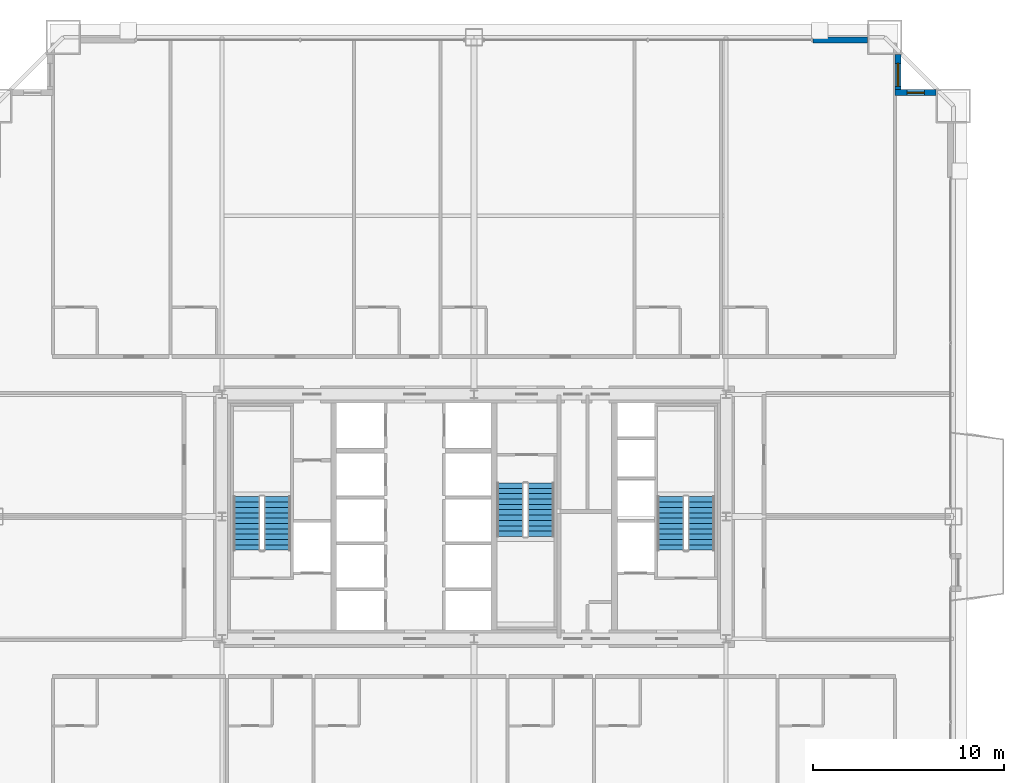
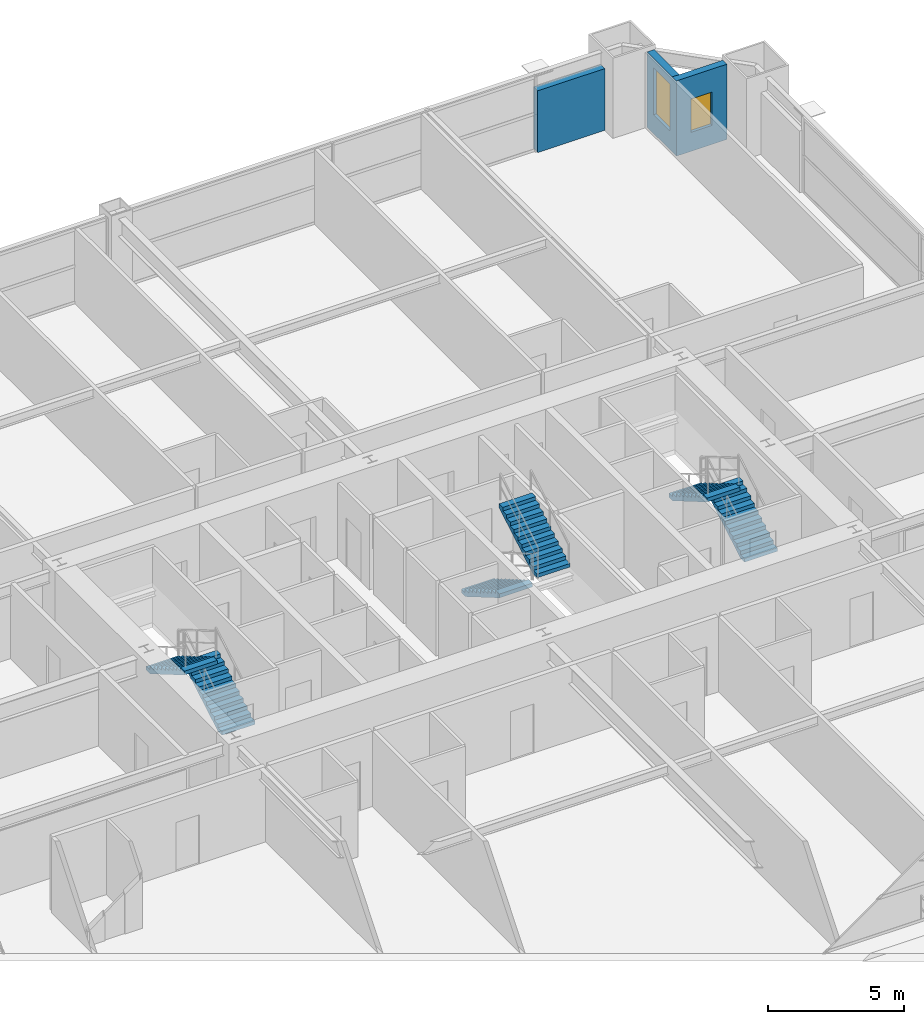
# One storey, part 42 of 43: 6 stair flights, 3 walls, 2 windows, 2 openings, 3 elements without a shape of their own.
"""IFC4 building model written with IfcOpenShell, lengths in metres."""

from ifc_helpers import new_model, si_unit, direction, frame, frame_2d, origin, place, context, subcontext, project, spatial, polyline, rectangle, outline, extrude, source, transform, mapped, material, layer, layer_set, type_object, element, fill, aggregate, save


model = new_model("IFC4")

# Units and contexts
model_context = context("Model", 3, precision=1e-05, world=origin(), true_north=direction((0.0, 1.0)))
body_context = subcontext(model_context, "Body", "Model", "MODEL_VIEW")
ifc_project = project(units=[si_unit("LENGTHUNIT", "METRE"), si_unit("AREAUNIT", "SQUARE_METRE"), si_unit("VOLUMEUNIT", "CUBIC_METRE"), si_unit("PLANEANGLEUNIT", "RADIAN"), si_unit("MASSUNIT", "GRAM", prefix="KILO"), si_unit("THERMODYNAMICTEMPERATUREUNIT", "KELVIN"), si_unit("POWERUNIT", "WATT")], contexts=[model_context])

# Site, building, storey
site_placement = place(None, origin())
site = spatial("IfcSite", under=ifc_project, at=site_placement, CompositionType="ELEMENT")
building_placement = place(site_placement, origin())
building = spatial("IfcBuilding", under=site, at=building_placement, Name="Yuzanri Waterfront Tower", CompositionType="ELEMENT")
storey_placement = place(building_placement, frame((0.0, 0.0, 71.199951171875)))
storey = spatial("IfcBuildingStorey", under=building, at=storey_placement, Name="L18", CompositionType="ELEMENT", Elevation=71.199951171875)

# Wall, opening, window
ifc_material_1 = material(Name="Honed Chongqing Dark Basalt Stone", Category="masonry")
ifc_layer = layer(ifc_material_1, 0.300048828125)
ifc_layer_set = layer_set([ifc_layer], Name="Honed Chongqing Dark Basalt Stone")
wall_type = type_object("IfcWallType", Name="Bronze Rainscreen Insulated Spandrel Portal Wall 300", PredefinedType="SOLIDWALL", material=ifc_layer_set)
wall_1_placement = place(storey_placement, frame((61.199951171875, 48.0, 0.0), z_axis=(0.0, 0.0, 1.0), x_axis=(-1.0, 0.0, 0.0)))
wall_1 = element("IfcWall", 1, at=wall_1_placement, inside=storey, type_object=wall_type, Name="L18 Notched Corner Masonry Wall NE-X", PredefinedType="SOLIDWALL", context=body_context, shape_type="SweptSolid", body=[
    extrude(rectangle(XDim=2.14990234375, YDim=0.300048828125, at=frame_2d((1.074951171875, 0.0))), origin(), (0.0, 0.0, 1.0), 3.380126953125),
])
opening_1_placement = place(wall_1_placement, frame((0.625, 0.0, 0.85009765625)))
opening_1 = element("IfcOpeningElement", 2, at=opening_1_placement, cuts=wall_1, Name="Opening WN-05", PredefinedType="OPENING", context=body_context, shape_type="SweptSolid", body=[
    extrude(rectangle(XDim=0.89990234375, YDim=1.5, at=frame_2d((0.449951171875, 0.75))), frame((0.0, 0.1650390625, 0.0), z_axis=(0.0, -1.0, 0.0), x_axis=(1.0, 0.0, 0.0)), (0.0, 0.0, 1.0), 0.329833984375),
])
ifc_material_2 = material(Name="Double-Silver Low-E Insulated Glass", Category="glass")
window_type_1 = type_object("IfcWindowType", Name="Anodized Bronze Service and Stairwell Smoke-Vent Window 900x1500", PartitioningType="SINGLE_PANEL", PredefinedType="WINDOW", material=ifc_material_2)
shared_shape_1 = source(origin(), body_context, "Body", "SweptSolid", [
    extrude(rectangle(XDim=0.89990234375, YDim=1.5, at=frame_2d((0.449951171875, 0.75))), frame((0.0, 0.030029296875, 0.0), z_axis=(0.0, -1.0, 0.0), x_axis=(1.0, 0.0, 0.0)), (0.0, 0.0, 1.0), 0.06005859375),
])
window_1_placement = place(opening_1_placement, origin())
window_1 = element("IfcWindow", 3, at=window_1_placement, inside=storey, type_object=window_type_1, Name="L18 Notched Corner Window NE-X", OverallHeight=1.5, OverallWidth=0.89990234375, PartitioningType="SINGLE_PANEL", PredefinedType="WINDOW", context=body_context, shape_type="MappedRepresentation", body=[
    mapped(shared_shape_1, transform((0.0, 0.0, 0.0), scale=1.0)),
])
fill(opening_1, window_1)

wall_2_placement = place(storey_placement, frame((59.199951171875, 47.85009765625, 0.0), z_axis=(0.0, 0.0, 1.0), x_axis=(0.0, 1.0, 0.0)))
wall_2 = element("IfcWall", 4, at=wall_2_placement, inside=storey, type_object=wall_type, Name="L18 Notched Corner Masonry Wall NE-Y", PredefinedType="SOLIDWALL", context=body_context, shape_type="SweptSolid", body=[
    extrude(rectangle(XDim=2.14990234375, YDim=0.300048828125, at=frame_2d((1.074951171875, 0.0))), origin(), (0.0, 0.0, 1.0), 3.380126953125),
])
opening_2_placement = place(wall_2_placement, frame((0.47509765625, 0.0, 0.85009765625)))
opening_2 = element("IfcOpeningElement", 5, at=opening_2_placement, cuts=wall_2, Name="Opening WN-02", PredefinedType="OPENING", context=body_context, shape_type="SweptSolid", body=[
    extrude(rectangle(XDim=1.199951171875, YDim=2.10009765625, at=frame_2d((0.60009765625, 1.050048828125))), frame((0.0, 0.1650390625, 0.0), z_axis=(0.0, -1.0, 0.0), x_axis=(1.0, 0.0, 0.0)), (0.0, 0.0, 1.0), 0.329833984375),
])
ifc_material_3 = material(Name="Double-Silver Low-E Insulated Glass", Category="glass")
window_type_2 = type_object("IfcWindowType", Name="Anodized Bronze Notched Corner Deep-Set Slot Window 1200x2100", PartitioningType="SINGLE_PANEL", PredefinedType="WINDOW", material=ifc_material_3)
shared_shape_2 = source(origin(), body_context, "Body", "SweptSolid", [
    extrude(rectangle(XDim=1.199951171875, YDim=2.10009765625, at=frame_2d((0.60009765625, 1.050048828125))), frame((0.0, 0.030029296875, 0.0), z_axis=(0.0, -1.0, 0.0), x_axis=(1.0, 0.0, 0.0)), (0.0, 0.0, 1.0), 0.06005859375),
])
window_2_placement = place(opening_2_placement, origin())
window_2 = element("IfcWindow", 6, at=window_2_placement, inside=storey, type_object=window_type_2, Name="L18 Notched Corner Window NE-Y", OverallHeight=2.10009765625, OverallWidth=1.199951171875, PartitioningType="SINGLE_PANEL", PredefinedType="WINDOW", context=body_context, shape_type="MappedRepresentation", body=[
    mapped(shared_shape_2, transform((0.0, 0.0, 0.0), scale=1.0)),
])
fill(opening_2, window_2)

# Wall
shared_shape_3 = source(origin(), body_context, "Body", "SweptSolid", [
    extrude(rectangle(XDim=2.85009765625, YDim=0.300048828125, at=frame_2d((1.425048828125, 0.0))), origin(), (0.0, 0.0, 1.0), 2.775146484375),
])
wall_3_placement = place(storey_placement, frame((54.75, 50.75, 0.0), z_axis=(0.0, 0.0, 1.0), x_axis=(1.0, 0.0, 0.0)))
element("IfcWall", 7, at=wall_3_placement, inside=storey, type_object=wall_type, Name="L18 N Right Braced Masonry Shoulder", PredefinedType="SOLIDWALL", context=body_context, shape_type="MappedRepresentation", body=[
    mapped(shared_shape_3, transform((0.0, 0.0, 0.0), scale=1.0)),
])

# Stair, stair flights
ifc_material_4 = material(Name="Concrete C40", Category="concrete")
stair_type = type_object("IfcStairType", Name="Concrete C40 Core Dogleg Exit Stair", PredefinedType="HALF_TURN_STAIR", material=ifc_material_4)
stair_1_placement = place(storey_placement, origin())
stair_1 = element("IfcStair", 8, at=stair_1_placement, inside=storey, type_object=stair_type, Name="L18 Smoke-Proof Core Stair ST-01", PredefinedType="HALF_TURN_STAIR")
ifc_material_5 = material(Name="Concrete C40", Category="concrete")
stair_flight_type = type_object("IfcStairFlightType", Name="Concrete C40 Precast Stair Flight 1380", PredefinedType="STRAIGHT", material=ifc_material_5)
shared_shape_4 = source(origin(), body_context, "Body", "SweptSolid", [
    extrude(outline(polyline([(0.0, 0.0), (0.0, 0.16357421875), (0.280029296875, 0.16357421875), (0.280029296875, 0.327392578125), (0.56005859375, 0.327392578125), (0.56005859375, 0.490966796875), (0.840087890625, 0.490966796875), (0.840087890625, 0.654541015625), (1.1201171875, 0.654541015625), (1.1201171875, 0.818115234375), (1.39990234375, 0.818115234375), (1.39990234375, 0.98193359375), (1.679931640625, 0.98193359375), (1.679931640625, 1.1455078125), (1.9599609375, 1.1455078125), (1.9599609375, 1.30908203125), (2.239990234375, 1.30908203125), (2.239990234375, 1.47265625), (2.52001953125, 1.47265625), (2.52001953125, 1.636474609375), (2.800048828125, 1.636474609375), (2.800048828125, 1.800048828125), (2.800048828125, 1.462646484375), (0.297119140625, 0.0), (0.0, 0.0)])), frame((0.0, 0.699951171875, 0.0), z_axis=(0.0, -1.0, 0.0), x_axis=(1.0, 0.0, 0.0)), (0.0, 0.0, 1.0), 1.39990234375),
])
stair_flight_1_placement = place(storey_placement, frame((26.699951171875, 24.0400390625, 0.0), z_axis=(0.0, 0.0, 1.0), x_axis=(0.0, 1.0, 0.0)))
stair_flight_1 = element("IfcStairFlight", 9, at=stair_flight_1_placement, type_object=stair_flight_type, Name="ST-01 flight 1", NumberOfRisers=11, NumberOfTreads=10, PredefinedType="STRAIGHT", RiserHeight=0.163636364, TreadLength=0.28, context=body_context, shape_type="MappedRepresentation", body=[
    mapped(shared_shape_4, transform((0.0, 0.0, 0.0), scale=1.0)),
])
stair_flight_2_placement = place(storey_placement, frame((25.10009765625, 26.840087890625, 1.800048828125), z_axis=(0.0, 0.0, 1.0), x_axis=(0.0, -1.0, 0.0)))
stair_flight_2 = element("IfcStairFlight", 10, at=stair_flight_2_placement, type_object=stair_flight_type, Name="ST-01 flight 2", NumberOfRisers=11, NumberOfTreads=10, PredefinedType="STRAIGHT", RiserHeight=0.163636364, TreadLength=0.28, context=body_context, shape_type="MappedRepresentation", body=[
    mapped(shared_shape_4, transform((0.0, 0.0, 0.0), scale=1.0)),
])
aggregate(stair_1, [stair_flight_1, stair_flight_2])

stair_2_placement = place(storey_placement, origin())
stair_2 = element("IfcStair", 11, at=stair_2_placement, inside=storey, type_object=stair_type, Name="L18 Smoke-Proof Core Stair ST-02", PredefinedType="HALF_TURN_STAIR")
stair_flight_3_placement = place(storey_placement, frame((48.89990234375, 24.0400390625, 0.0), z_axis=(0.0, 0.0, 1.0), x_axis=(0.0, 1.0, 0.0)))
stair_flight_3 = element("IfcStairFlight", 12, at=stair_flight_3_placement, type_object=stair_flight_type, Name="ST-02 flight 1", NumberOfRisers=11, NumberOfTreads=10, PredefinedType="STRAIGHT", RiserHeight=0.163636364, TreadLength=0.28, context=body_context, shape_type="MappedRepresentation", body=[
    mapped(shared_shape_4, transform((0.0, 0.0, 0.0), scale=1.0)),
])
stair_flight_4_placement = place(storey_placement, frame((47.300048828125, 26.840087890625, 1.800048828125), z_axis=(0.0, 0.0, 1.0), x_axis=(0.0, -1.0, 0.0)))
stair_flight_4 = element("IfcStairFlight", 13, at=stair_flight_4_placement, type_object=stair_flight_type, Name="ST-02 flight 2", NumberOfRisers=11, NumberOfTreads=10, PredefinedType="STRAIGHT", RiserHeight=0.163636364, TreadLength=0.28, context=body_context, shape_type="MappedRepresentation", body=[
    mapped(shared_shape_4, transform((0.0, 0.0, 0.0), scale=1.0)),
])
aggregate(stair_2, [stair_flight_3, stair_flight_4])

stair_3_placement = place(storey_placement, origin())
stair_3 = element("IfcStair", 14, at=stair_3_placement, inside=storey, type_object=stair_type, Name="L18 Smoke-Proof Core Stair ST-03", PredefinedType="HALF_TURN_STAIR")
stair_flight_5_placement = place(storey_placement, frame((38.89990234375, 27.56005859375, 0.0), z_axis=(0.0, 0.0, 1.0), x_axis=(0.0, -1.0, 0.0)))
stair_flight_5 = element("IfcStairFlight", 15, at=stair_flight_5_placement, type_object=stair_flight_type, Name="ST-03 flight 1", NumberOfRisers=11, NumberOfTreads=10, PredefinedType="STRAIGHT", RiserHeight=0.163636364, TreadLength=0.28, context=body_context, shape_type="MappedRepresentation", body=[
    mapped(shared_shape_4, transform((0.0, 0.0, 0.0), scale=1.0)),
])
stair_flight_6_placement = place(storey_placement, frame((40.5, 24.760009765625, 1.800048828125), z_axis=(0.0, 0.0, 1.0), x_axis=(0.0, 1.0, 0.0)))
stair_flight_6 = element("IfcStairFlight", 16, at=stair_flight_6_placement, type_object=stair_flight_type, Name="ST-03 flight 2", NumberOfRisers=11, NumberOfTreads=10, PredefinedType="STRAIGHT", RiserHeight=0.163636364, TreadLength=0.28, context=body_context, shape_type="MappedRepresentation", body=[
    mapped(shared_shape_4, transform((0.0, 0.0, 0.0), scale=1.0)),
])
aggregate(stair_3, [stair_flight_5, stair_flight_6])

save(model, "model.ifc")
